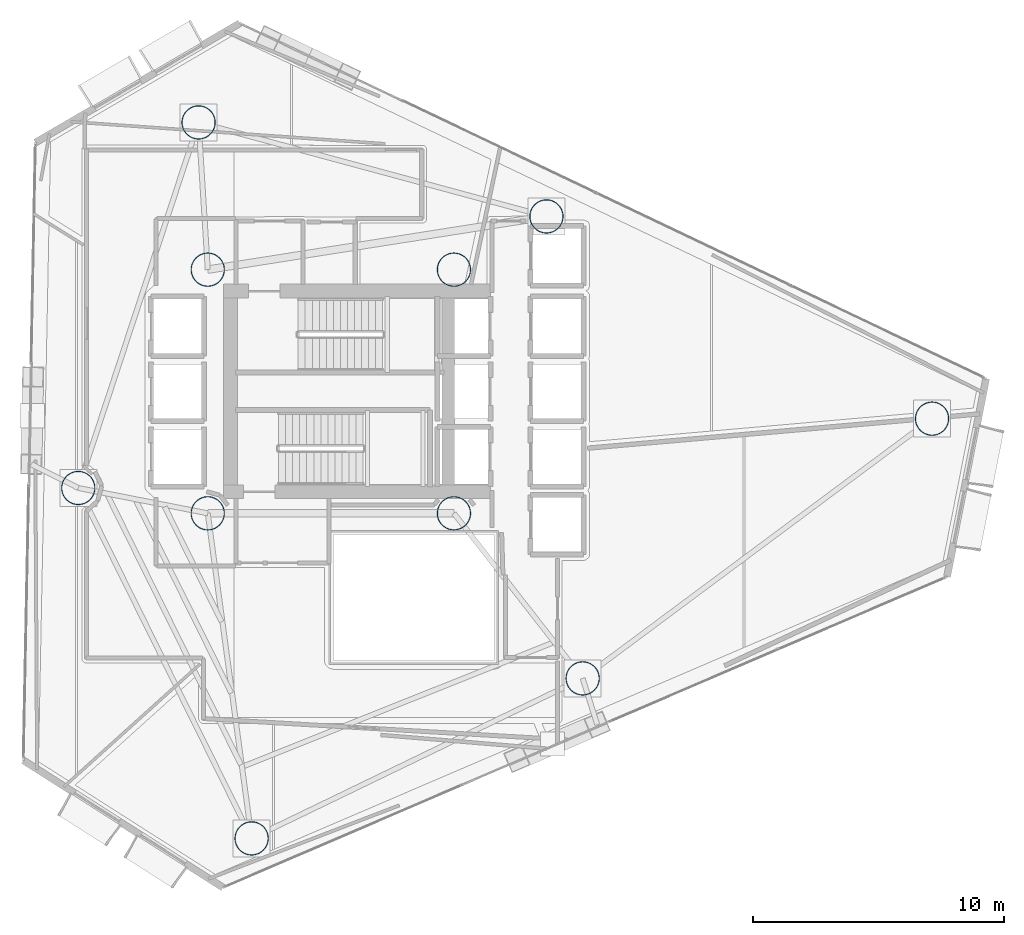
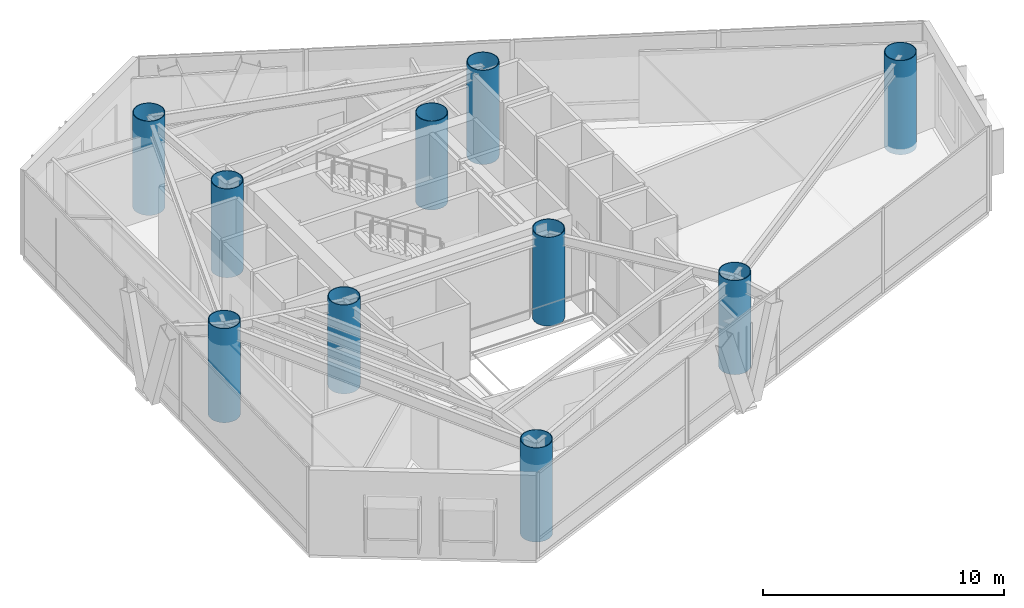
# One storey, part 1 of 21: 10 columns.
"""IFC4 building model written with IfcOpenShell, lengths in metres."""

from ifc_helpers import new_model, si_unit, direction, frame, origin, origin_2d, place, context, subcontext, project, spatial, hollow_circle, extrude, material, material_profile, profile_set, type_object, element, save


model = new_model("IFC4")

# Units and contexts
model_context = context("Model", 3, precision=1e-05, world=origin(), true_north=direction((0.0, 1.0)))
body_context = subcontext(model_context, "Body", "Model", "MODEL_VIEW")
ifc_project = project(units=[si_unit("LENGTHUNIT", "METRE"), si_unit("AREAUNIT", "SQUARE_METRE"), si_unit("VOLUMEUNIT", "CUBIC_METRE"), si_unit("PLANEANGLEUNIT", "RADIAN"), si_unit("MASSUNIT", "GRAM", prefix="KILO")], contexts=[model_context])

# Site, building, storey
site_placement = place(None, origin())
site = spatial("IfcSite", under=ifc_project, at=site_placement, CompositionType="ELEMENT")
building_placement = place(site_placement, origin())
building = spatial("IfcBuilding", under=site, at=building_placement, Name="Qianvela Tower", CompositionType="ELEMENT")
storey_placement = place(building_placement, frame((0.0, 0.0, 143.10009765625)))
storey = spatial("IfcBuildingStorey", under=building, at=storey_placement, Name="L36", CompositionType="ELEMENT", Elevation=143.10009765625)

# Columns
ifc_material = material(Name="Steel Q420GJC", Category="steel")
ifc_material_profile = material_profile(ifc_material, hollow_circle(Radius=0.675048828125, WallThickness=0.031982421875, at=origin_2d()), Name="CFT-1350x32")
ifc_profile_set = profile_set([ifc_material_profile], Name="Steel Q420GJC")
column_type = type_object("IfcColumnType", Name="COL-CFT-1350x32", PredefinedType="COLUMN", material=ifc_profile_set)
for number, where, z_axis, x_axis, name in (
    (1, (28.60009765625, 33.550048828125, 0.0), (0.0, 0.0, 1.0), (1.0, 0.0, 0.0), "L36 Core Corner Mega-Column CC-NW"),
    (2, (28.60009765625, 23.85009765625, 0.0), (0.0, 0.0, 1.0), (1.0, 0.0, 0.0), "L36 Core Corner Mega-Column CC-SW"),
    (3, (38.39990234375, 33.550048828125, 0.0), (0.0, 0.0, 1.0), (1.0, 0.0, 0.0), "L36 Core Corner Mega-Column CC-NE"),
    (4, (38.39990234375, 23.85009765625, 0.0), (0.0, 0.0, 1.0), (1.0, 0.0, 0.0), "L36 Core Corner Mega-Column CC-SE"),
):
    element("IfcColumn", number, at=place(storey_placement, frame(where, z_axis=z_axis, x_axis=x_axis)), inside=storey, type_object=column_type, Name=name, PredefinedType="COLUMN", context=body_context, shape_type="SweptSolid", body=[
        extrude(hollow_circle(Radius=0.675048828125, WallThickness=0.031982421875, at=origin_2d()), origin(), (0.0, 0.0, 1.0), 4.5),
    ])
for number, where, z_axis, x_axis, name in (
    (5, (57.43408203125, 27.617919921875, -0.27001953125), (0.0, 0.0, 1.0), (1.0, 0.0, 0.0), "L36 Zone Z4 CFT Mega-Column C1"),
    (6, (42.0830078125, 35.6689453125, -0.27001953125), (0.0, 0.0, 1.0), (1.0, 0.0, 0.0), "L36 Zone Z4 CFT Mega-Column C2"),
    (7, (28.235107421875, 39.410888671875, -0.27001953125), (0.0, 0.0, 1.0), (1.0, 0.0, 0.0), "L36 Zone Z4 CFT Mega-Column C3"),
    (8, (23.446044921875, 24.85888671875, -0.27001953125), (0.0, 0.0, 1.0), (1.0, 0.0, 0.0), "L36 Zone Z4 CFT Mega-Column C4"),
    (9, (30.346923828125, 10.908935546875, -0.27001953125), (0.0, 0.0, 1.0), (1.0, 0.0, 0.0), "L36 Zone Z4 CFT Mega-Column C5"),
    (10, (43.52490234375, 17.279052734375, -0.27001953125), (0.0, 0.0, 1.0), (1.0, 0.0, 0.0), "L36 Zone Z4 CFT Mega-Column C6"),
):
    element("IfcColumn", number, at=place(storey_placement, frame(where, z_axis=z_axis, x_axis=x_axis)), inside=storey, type_object=column_type, Name=name, PredefinedType="COLUMN", context=body_context, shape_type="SweptSolid", body=[
        extrude(hollow_circle(Radius=0.675048828125, WallThickness=0.031982421875, at=origin_2d()), origin(), (0.0, 0.0, 1.0), 4.77001953125),
    ])

save(model, "model.ifc")
